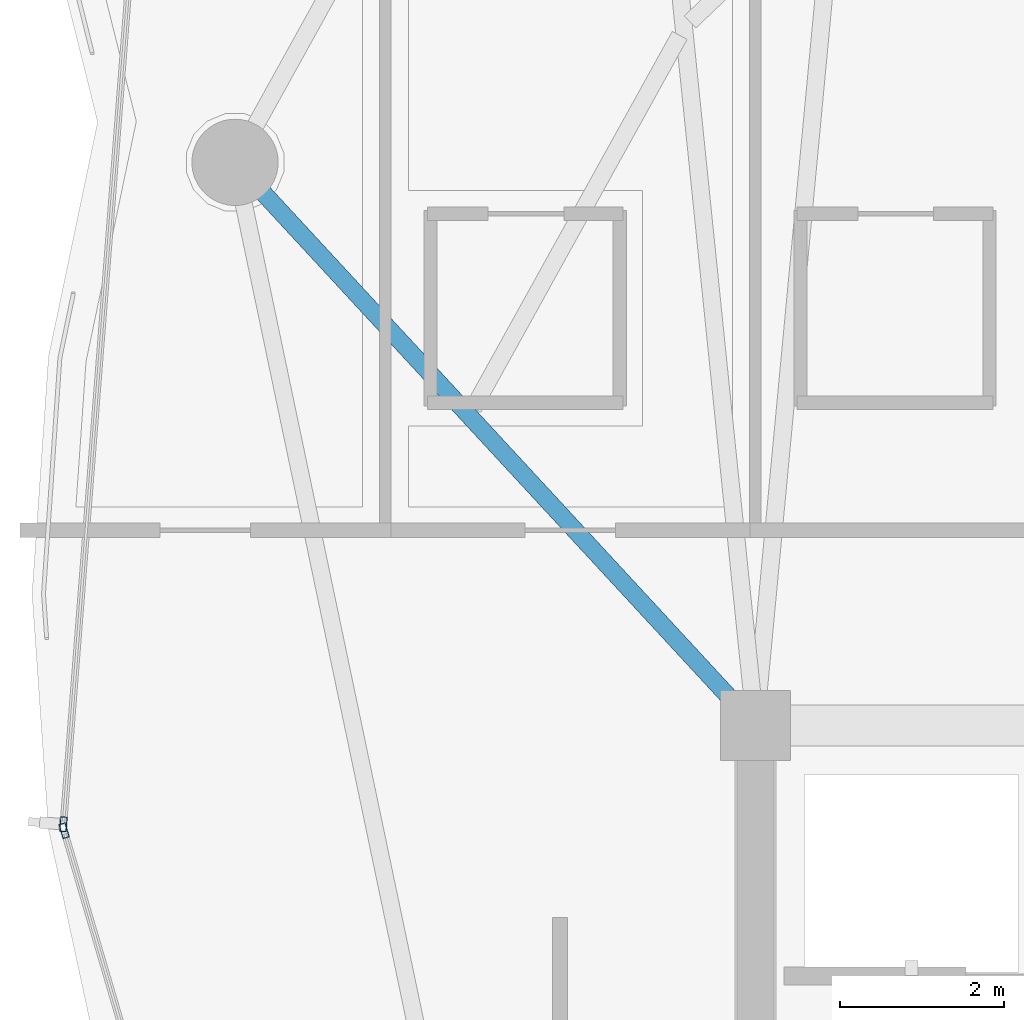
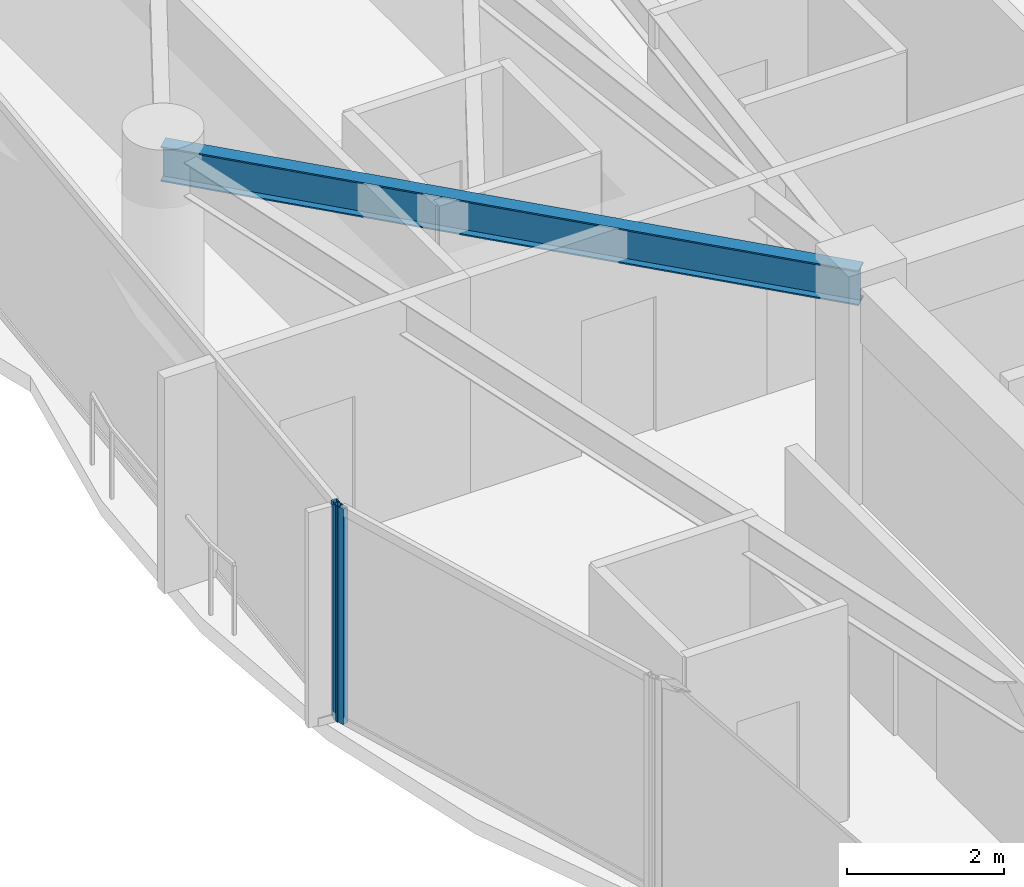
# One storey, part 8 of 31: 2 members, 1 beam, 2 elements without a shape of their own.
"""IFC4 building model written with IfcOpenShell, lengths in metres."""

import ifcopenshell
import ifcopenshell.guid

model = None  # the IFC model being written
_history = None  # IfcOwnerHistory: only IFC2X3 demands one
_inside = {}  # id of a spatial element -> (the spatial element, [elements in it])
_under = {}  # id of a project, library or spatial element -> (it, [spatial elements below it])
_declared = {}  # id of a project -> (the project, [libraries it declares])
_typed = {}  # id of a type object -> (the type object, [elements of that type])
_made_of = {}  # id of a material, layer set ... -> (it, [elements and type objects made of it])


def new_model(schema):
    """Start an empty IFC model of exactly this schema.

    Asked for "IFC4X3", IfcOpenShell would pick the latest addendum, in which some entities
    have other attributes; the version numbers below select the first issue.
    IFC2X3 requires an IfcOwnerHistory on every rooted entity: one is made here for all.
    """
    global model, _history
    if schema == "IFC4X3":
        model = ifcopenshell.file(schema_version=(4, 3, 0, 0))
    else:
        model = ifcopenshell.file(schema=schema)
    _inside.clear()
    _under.clear()
    _declared.clear()
    _typed.clear()
    _made_of.clear()
    _history = None
    if model.schema == "IFC2X3":
        org = make("IfcOrganization", Name="unknown")
        user = make(
            "IfcPersonAndOrganization",
            ThePerson=make("IfcPerson", FamilyName="unknown"),
            TheOrganization=org,
        )
        app = make(
            "IfcApplication",
            ApplicationDeveloper=org,
            Version="unknown",
            ApplicationFullName="unknown",
            ApplicationIdentifier="unknown",
        )
        _history = make(
            "IfcOwnerHistory",
            OwningUser=user,
            OwningApplication=app,
            ChangeAction="ADDED",
            CreationDate=0,
        )
    return model


def make(cls, **values):
    """One entity of the class cls with the attributes given. An attribute that is None is left unset."""
    return model.create_entity(
        cls, **{name: value for name, value in values.items() if value is not None}
    )


def rooted(cls, **values):
    """An entity with a GlobalId (a new one), such as an element, a storey or a relation."""
    return make(cls, GlobalId=ifcopenshell.guid.new(), OwnerHistory=_history, **values)


def si_unit(unit_type, name, prefix=None):
    """IfcSIUnit, for example si_unit("LENGTHUNIT", "METRE", prefix="MILLI")."""
    return make("IfcSIUnit", UnitType=unit_type, Prefix=prefix, Name=name)


def assignment(units):
    """IfcUnitAssignment: the units of a project."""
    return None if units is None else make("IfcUnitAssignment", Units=units)


def point(xyz):
    """IfcCartesianPoint."""
    return None if xyz is None else make("IfcCartesianPoint", Coordinates=xyz)


def direction(xyz):
    """IfcDirection."""
    return None if xyz is None else make("IfcDirection", DirectionRatios=xyz)


def frame(location, z_axis=None, x_axis=None):
    """IfcAxis2Placement3D, a coordinate frame: its origin and axes. An axis left out is left unset."""
    return make(
        "IfcAxis2Placement3D",
        Location=point(location),
        Axis=direction(z_axis),
        RefDirection=direction(x_axis),
    )


def frame_2d(location, x_axis=None):
    """IfcAxis2Placement2D, a coordinate frame in the plane: its origin and x axis."""
    return make(
        "IfcAxis2Placement2D", Location=point(location), RefDirection=direction(x_axis)
    )


def origin():
    """The frame at (0, 0, 0) with its axes left unset."""
    return frame((0.0, 0.0, 0.0))


def origin_2d():
    """The frame at (0, 0) in the plane with its x axis left unset."""
    return frame_2d((0.0, 0.0))


def place(relative_to, where):
    """IfcLocalPlacement: puts the frame where relative to a parent placement (None: the world)."""
    return make(
        "IfcLocalPlacement", PlacementRelTo=relative_to, RelativePlacement=where
    )


def context(
    kind, dimensions, precision=None, world=None, true_north=None, identifier=None
):
    """IfcGeometricRepresentationContext, for example the 3D "Model" context."""
    return make(
        "IfcGeometricRepresentationContext",
        ContextIdentifier=identifier,
        ContextType=kind,
        CoordinateSpaceDimension=dimensions,
        Precision=precision,
        WorldCoordinateSystem=world,
        TrueNorth=true_north,
    )


def subcontext(parent, identifier, kind, view, scale=None):
    """IfcGeometricRepresentationSubContext, for example "Body" below "Model"."""
    return make(
        "IfcGeometricRepresentationSubContext",
        ContextIdentifier=identifier,
        ContextType=kind,
        ParentContext=parent,
        TargetScale=scale,
        TargetView=view,
    )


def project(units=None, contexts=None):
    """IfcProject with its units and contexts."""
    return rooted(
        "IfcProject",
        Name="project",
        RepresentationContexts=contexts,
        UnitsInContext=assignment(units),
    )


def spatial(cls, under=None, at=None, **own):
    """A site, building, storey or space (cls), placed at a placement, below another one or the project."""
    s = rooted(cls, ObjectPlacement=at, **own)
    if under is not None:
        _under.setdefault(under.id(), (under, []))[1].append(s)
    return s


def profile(cls, at=None, kind="AREA", **sizes):
    """A parametric profile (cls). Its sizes go by their IFC names, for example OverallWidth=200.0."""
    return make(cls, ProfileType=kind, Position=at, **sizes)


def hollow_rectangle(**sizes):
    """IfcRectangleHollowProfileDef."""
    return profile("IfcRectangleHollowProfileDef", **sizes)


def i_section(**sizes):
    """IfcIShapeProfileDef."""
    return profile("IfcIShapeProfileDef", **sizes)


def extrude(swept, where, along, depth):
    """IfcExtrudedAreaSolid: the profile swept, set in the frame where, extruded along a direction by depth."""
    return make(
        "IfcExtrudedAreaSolid",
        SweptArea=swept,
        Position=where,
        ExtrudedDirection=direction(along),
        Depth=depth,
    )


def shape(context_of_items, identifier, shape_type, items):
    """IfcShapeRepresentation: the items that make up one representation, for example the "Body"."""
    return make(
        "IfcShapeRepresentation",
        ContextOfItems=context_of_items,
        RepresentationIdentifier=identifier,
        RepresentationType=shape_type,
        Items=items,
    )


def material(Name=None, Category=None):
    """IfcMaterial."""
    return make("IfcMaterial", Name=Name, Category=Category)


def layer(
    of_material, thickness, ventilated=None, Name=None, Category=None, Priority=None
):
    """IfcMaterialLayer: one layer of a wall or slab, of a material (None: an air gap)."""
    return make(
        "IfcMaterialLayer",
        Material=of_material,
        LayerThickness=thickness,
        IsVentilated=ventilated,
        Name=Name,
        Category=Category,
        Priority=Priority,
    )


def layer_set(layers, Name=None):
    """IfcMaterialLayerSet."""
    return make("IfcMaterialLayerSet", MaterialLayers=layers, LayerSetName=Name)


def material_profile(
    of_material, cross_section, Name=None, Category=None, Priority=None
):
    """IfcMaterialProfile: a cross section and its material."""
    return make(
        "IfcMaterialProfile",
        Name=Name,
        Material=of_material,
        Profile=cross_section,
        Priority=Priority,
        Category=Category,
    )


def profile_set(profiles, Name=None, composite=None):
    """IfcMaterialProfileSet."""
    return make(
        "IfcMaterialProfileSet",
        Name=Name,
        MaterialProfiles=profiles,
        CompositeProfile=composite,
    )


def made_of(thing, what):
    """Note that an element or type object is made of a material, layer set ...; save() writes the relation."""
    if what is not None:
        _made_of.setdefault(what.id(), (what, []))[1].append(thing)
    return thing


def type_object(cls, material=None, **own):
    """A type object (cls), such as IfcWallType, which elements share."""
    return made_of(rooted(cls, **own), material)


def element(
    cls,
    number,
    at=None,
    inside=None,
    cuts=None,
    type_object=None,
    material=None,
    context=None,
    identifier="Body",
    shape_type=None,
    held_by="IfcProductDefinitionShape",
    body=None,
    shapes=None,
    **own,
):
    """One element of the class cls, such as IfcWall. Its Tag is "e" and its number.

    at: its placement. inside: the storey or other place that contains it. cuts: it is an
    opening in that element (IfcRelVoidsElement). A single representation is given by context,
    identifier, shape_type and body (its items); several are given by shapes. held_by: the class
    of the entity that holds the representations. save() writes the other relations.
    """
    e = rooted(cls, Tag="e%d" % number, ObjectPlacement=at, **own)
    if body is not None:
        shapes = [shape(context, identifier, shape_type, body)]
    if shapes is not None:
        e.Representation = make(held_by, Representations=shapes)
    if inside is not None:
        _inside.setdefault(inside.id(), (inside, []))[1].append(e)
    if cuts is not None:
        rooted(
            "IfcRelVoidsElement", RelatingBuildingElement=cuts, RelatedOpeningElement=e
        )
    if type_object is not None:
        _typed.setdefault(type_object.id(), (type_object, []))[1].append(e)
    return made_of(e, material)


def aggregate(whole, parts):
    """IfcRelAggregates: a whole, such as a stair, and the parts it consists of."""
    return rooted("IfcRelAggregates", RelatingObject=whole, RelatedObjects=parts)


def save(model, path):
    """Write the relations noted so far, then the file.

    IfcRelAggregates (storeys below a building ...), IfcRelContainedInSpatialStructure (elements
    in a storey), IfcRelDefinesByType, IfcRelAssociatesMaterial and IfcRelDeclares: one each for
    every whole, place, type object, material and project.
    """
    for whole, parts in _under.values():
        aggregate(whole, parts)
    for where, things in _inside.values():
        rooted(
            "IfcRelContainedInSpatialStructure",
            RelatedElements=things,
            RelatingStructure=where,
        )
    for kind, things in _typed.values():
        rooted("IfcRelDefinesByType", RelatedObjects=things, RelatingType=kind)
    for what, things in _made_of.values():
        rooted("IfcRelAssociatesMaterial", RelatedObjects=things, RelatingMaterial=what)
    for by, libraries in _declared.values():
        rooted("IfcRelDeclares", RelatingContext=by, RelatedDefinitions=libraries)
    model.write(path)


model = new_model("IFC4")

# Units and contexts
model_context = context("Model", 3, precision=1e-05, world=origin(), true_north=direction((0.0, 1.0)))
body_context = subcontext(model_context, "Body", "Model", "MODEL_VIEW")
ifc_project = project(units=[si_unit("LENGTHUNIT", "METRE"), si_unit("AREAUNIT", "SQUARE_METRE"), si_unit("VOLUMEUNIT", "CUBIC_METRE"), si_unit("PLANEANGLEUNIT", "RADIAN"), si_unit("MASSUNIT", "GRAM", prefix="KILO")], contexts=[model_context])

# Site, building, storey
site_placement = place(None, origin())
site = spatial("IfcSite", under=ifc_project, at=site_placement, CompositionType="ELEMENT")
building_placement = place(site_placement, origin())
building = spatial("IfcBuilding", under=site, at=building_placement, Name="Kazevale Care Tower and Concert Hall", CompositionType="ELEMENT")
storey_placement = place(building_placement, frame((0.0, 0.0, 220.800048828125)))
storey = spatial("IfcBuildingStorey", under=building, at=storey_placement, Name="L58", CompositionType="ELEMENT", Elevation=220.800048828125)

# Curtain wall, member
ifc_material_1 = material(Name="Aluminium 6063-T6 and Low-E Glass", Category="aluminium")
ifc_layer = layer(ifc_material_1, 0.179931640625)
ifc_layer_set = layer_set([ifc_layer], Name="Aluminium 6063-T6 and Low-E Glass")
curtain_wall_type = type_object("IfcCurtainWallType", Name="Waist & Upper Residential Curtain Wall CW-4", PredefinedType="NOTDEFINED", material=ifc_layer_set)
curtain_wall_1_placement = place(storey_placement, origin())
curtain_wall_1 = element("IfcCurtainWall", 1, at=curtain_wall_1_placement, inside=storey, type_object=curtain_wall_type, Name="cw:L58:f12", PredefinedType="NOTDEFINED")
ifc_material_2 = material(Name="Aluminium 6063-T6", Category="aluminium")
ifc_material_profile_1 = material_profile(ifc_material_2, hollow_rectangle(XDim=0.080078125, YDim=0.179931640625, WallThickness=0.0048828125, at=origin_2d()), Name="ALU80x180x5")
ifc_profile_set_1 = profile_set([ifc_material_profile_1], Name="Aluminium 6063-T6")
member_type = type_object("IfcMemberType", Name="CW-4 Mullion ALU80x180x5", PredefinedType="MULLION", material=ifc_profile_set_1)
member_1_placement = place(storey_placement, frame((13.59033203125, 35.11865234375, 0.0), z_axis=(0.0, 0.0, 1.0), x_axis=(-0.959385539982, -0.282098184457, 0.0)))
member_1 = element("IfcMember", 2, at=member_1_placement, type_object=member_type, Name="CW-4 mullion 2", PredefinedType="MULLION", context=body_context, shape_type="SweptSolid", body=[
    extrude(hollow_rectangle(XDim=0.080078125, YDim=0.179931640625, WallThickness=0.0048828125, at=origin_2d()), origin(), (0.0, 0.0, 1.0), 3.35986328125),
])
aggregate(curtain_wall_1, [member_1])

curtain_wall_2_placement = place(storey_placement, origin())
curtain_wall_2 = element("IfcCurtainWall", 3, at=curtain_wall_2_placement, inside=storey, type_object=curtain_wall_type, Name="cw:L58:f13", PredefinedType="NOTDEFINED")
member_2_placement = place(storey_placement, frame((13.58203125, 35.19677734375, 0.0), z_axis=(0.0, 0.0, 1.0), x_axis=(-0.996989311372, 0.077539106325, 0.0)))
member_2 = element("IfcMember", 4, at=member_2_placement, type_object=member_type, Name="CW-4 mullion 1", PredefinedType="MULLION", context=body_context, shape_type="SweptSolid", body=[
    extrude(hollow_rectangle(XDim=0.080078125, YDim=0.179931640625, WallThickness=0.0048828125, at=origin_2d()), origin(), (0.0, 0.0, 1.0), 3.35986328125),
])
aggregate(curtain_wall_2, [member_2])

# Beam
ifc_material_3 = material(Name="Steel ASTM A572 Gr 50", Category="steel")
ifc_material_profile_2 = material_profile(ifc_material_3, i_section(OverallWidth=0.2119140625, OverallDepth=0.5439453125, WebThickness=0.01318359375, FlangeThickness=0.021240234375, at=origin_2d()), Name="W530x123")
ifc_profile_set_2 = profile_set([ifc_material_profile_2], Name="Steel ASTM A572 Gr 50")
beam_type = type_object("IfcBeamType", Name="Radial Floor Girder W530x123", PredefinedType="BEAM", material=ifc_profile_set_2)
beam_placement = place(storey_placement, frame((22.0, 36.39990234375, 3.087890625), z_axis=(-0.678680078581, 0.734434034435, 0.0), x_axis=(-0.734434034435, -0.678680078581, 0.0)))
element("IfcBeam", 5, at=beam_placement, inside=storey, type_object=beam_type, Name="beam:L58:rad:09", PredefinedType="BEAM", context=body_context, shape_type="SweptSolid", body=[
    extrude(i_section(OverallWidth=0.2119140625, OverallDepth=0.5439453125, WebThickness=0.01318359375, FlangeThickness=0.021240234375, at=origin_2d()), origin(), (0.0, 0.0, 1.0), 9.3271484375),
])

save(model, "model.ifc")
